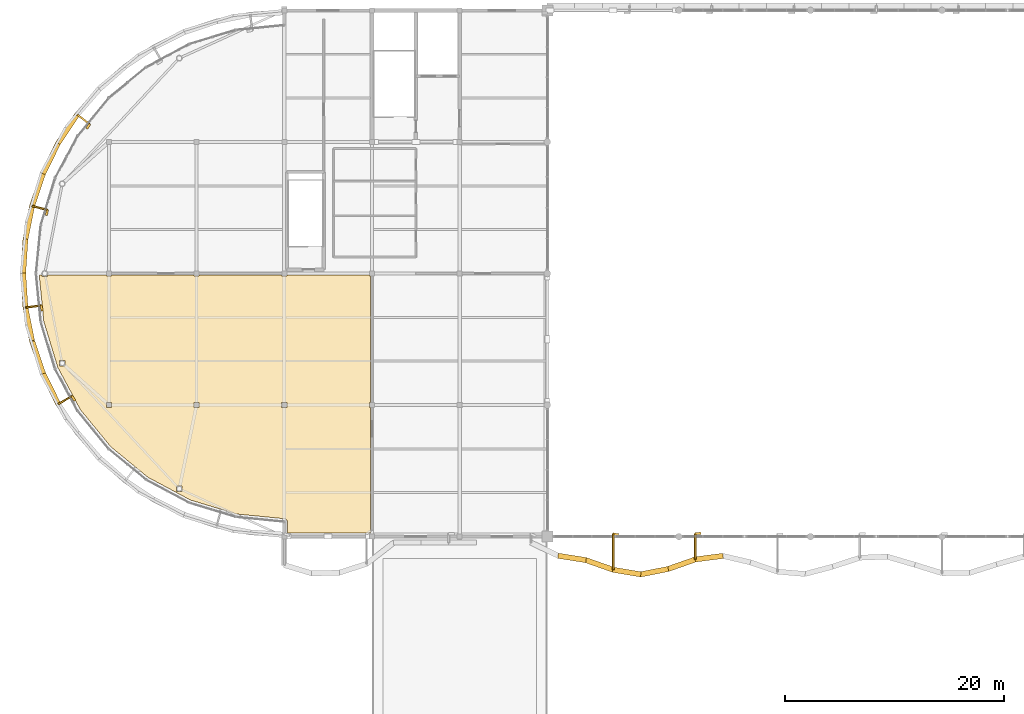
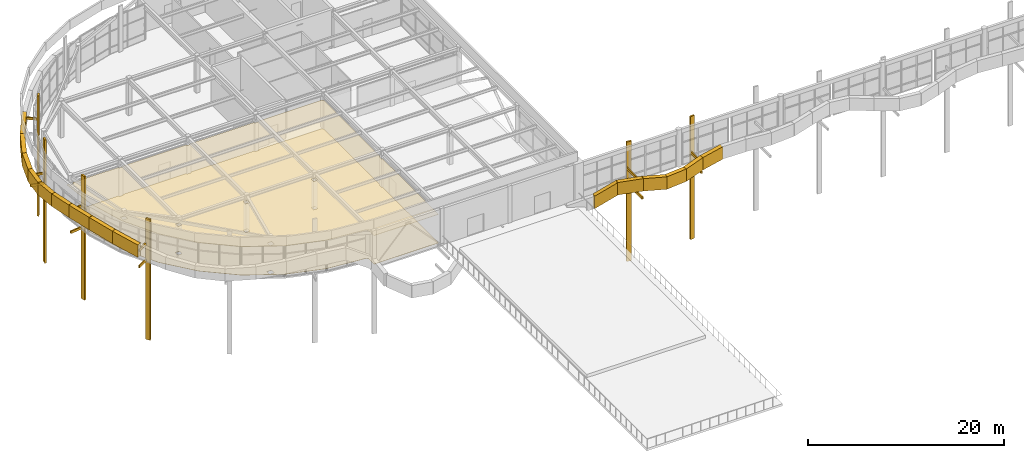
# One storey, part 51 of 63: 34 coverings.
"""IFC4 building model written with IfcOpenShell, lengths in metres."""

from ifc_helpers import new_model, si_unit, direction, frame, frame_2d, origin, place, context, subcontext, project, spatial, polyline, rectangle, outline, extrude, material, layer, layer_set, type_object, element, save


model = new_model("IFC4")

# Units and contexts
model_context = context("Model", 3, precision=1e-05, world=origin(), true_north=direction((0.0, 1.0)))
body_context = subcontext(model_context, "Body", "Model", "MODEL_VIEW")
ifc_project = project(units=[si_unit("LENGTHUNIT", "METRE"), si_unit("AREAUNIT", "SQUARE_METRE"), si_unit("VOLUMEUNIT", "CUBIC_METRE"), si_unit("PLANEANGLEUNIT", "RADIAN"), si_unit("MASSUNIT", "GRAM", prefix="KILO")], contexts=[model_context])

# Site, building, storey
site_placement = place(None, origin())
site = spatial("IfcSite", under=ifc_project, at=site_placement, CompositionType="ELEMENT")
building_placement = place(site_placement, origin())
building = spatial("IfcBuilding", under=site, at=building_placement, Name="Keelwater Ferry Terminal", CompositionType="ELEMENT")
storey_placement = place(building_placement, frame((0.0, 0.0, 10.199951171875)))
storey = spatial("IfcBuildingStorey", under=building, at=storey_placement, Name="L02", CompositionType="ELEMENT", Elevation=10.199951171875)

# Coverings
ifc_material_1 = material(Name="Perforated acoustic gypsum board ceiling", Category="gypsum")
ifc_layer_1 = layer(ifc_material_1, 0.044921875)
ifc_layer_set_1 = layer_set([ifc_layer_1], Name="Perforated acoustic gypsum board ceiling")
covering_type_1 = type_object("IfcCoveringType", Name="CL-AC Acoustic Baffle Ceiling", PredefinedType="CEILING", material=ifc_layer_set_1)
covering_1_placement = place(storey_placement, frame((0.0, 0.0, 3.550048828125)))
element("IfcCovering", 1, at=covering_1_placement, inside=storey, type_object=covering_type_1, Name="Crew Training Hall Acoustic Ceiling", PredefinedType="CEILING", context=body_context, shape_type="SweptSolid", body=[
    extrude(outline(polyline([(2.416015625, 65.8798828125), (2.424072265625, 65.8798828125), (7.7548828125, 65.8798828125), (7.762939453125, 65.8798828125), (7.764892578125, 65.87890625), (7.764892578125, 65.764892578125), (8.235107421875, 65.764892578125), (8.235107421875, 65.87890625), (8.237060546875, 65.8798828125), (8.2451171875, 65.8798828125), (15.7548828125, 65.8798828125), (15.762939453125, 65.8798828125), (15.764892578125, 65.87890625), (15.764892578125, 65.764892578125), (16.235107421875, 65.764892578125), (16.235107421875, 65.87890625), (16.237060546875, 65.8798828125), (16.2451171875, 65.8798828125), (23.7548828125, 65.8798828125), (23.762939453125, 65.8798828125), (23.764892578125, 65.87890625), (23.764892578125, 65.764892578125), (24.235107421875, 65.764892578125), (24.235107421875, 65.87890625), (24.237060546875, 65.8798828125), (24.2451171875, 65.8798828125), (31.7548828125, 65.8798828125), (31.762939453125, 65.8798828125), (31.764892578125, 65.87890625), (31.764892578125, 65.764892578125), (31.87890625, 65.764892578125), (31.8798828125, 65.762939453125), (31.8798828125, 65.7548828125), (31.8798828125, 54.2451171875), (31.8798828125, 54.237060546875), (31.87890625, 54.235107421875), (31.764892578125, 54.235107421875), (31.764892578125, 53.764892578125), (31.87890625, 53.764892578125), (31.8798828125, 53.762939453125), (31.8798828125, 53.7548828125), (31.8798828125, 42.39990234375), (31.8798828125, 42.39208984375), (31.8779296875, 42.384033203125), (31.876953125, 42.376953125), (31.8740234375, 42.368896484375), (31.87109375, 42.362060546875), (31.866943359375, 42.35595703125), (31.862060546875, 42.34912109375), (31.85693359375, 42.343017578125), (31.85107421875, 42.337890625), (31.843994140625, 42.3330078125), (31.837890625, 42.3291015625), (31.8310546875, 42.325927734375), (31.822998046875, 42.322998046875), (31.81591796875, 42.322021484375), (31.80810546875, 42.320068359375), (31.800048828125, 42.320068359375), (24.360107421875, 42.320068359375), (24.35205078125, 42.320068359375), (24.343994140625, 42.322021484375), (24.3369140625, 42.322998046875), (24.3291015625, 42.325927734375), (24.322021484375, 42.3291015625), (24.31591796875, 42.3330078125), (24.30908203125, 42.337890625), (24.302978515625, 42.343017578125), (24.298095703125, 42.34912109375), (24.29296875, 42.35595703125), (24.2890625, 42.362060546875), (24.285888671875, 42.368896484375), (24.282958984375, 42.376953125), (24.281982421875, 42.384033203125), (24.280029296875, 42.39208984375), (24.280029296875, 42.39990234375), (24.280029296875, 43.345947265625), (24.280029296875, 43.35009765625), (24.279052734375, 43.376953125), (24.27490234375, 43.405029296875), (24.26806640625, 43.430908203125), (24.259033203125, 43.45703125), (24.2470703125, 43.48193359375), (24.23291015625, 43.506103515625), (24.216064453125, 43.528076171875), (24.197998046875, 43.548095703125), (24.197021484375, 43.549072265625), (24.197021484375, 43.549072265625), (24.196044921875, 43.549072265625), (24.177978515625, 43.56591796875), (24.156005859375, 43.5830078125), (24.132080078125, 43.596923828125), (24.10693359375, 43.60888671875), (24.0810546875, 43.617919921875), (24.054931640625, 43.625), (24.027099609375, 43.62890625), (21.652099609375, 43.862060546875), (19.64404296875, 44.06005859375), (19.635986328125, 44.06201171875), (19.62890625, 44.06298828125), (17.532958984375, 44.698974609375), (15.44091796875, 45.333984375), (15.43896484375, 45.333984375), (15.43896484375, 45.333984375), (14.158935546875, 46.01806640625), (14.156005859375, 46.02001953125), (14.14892578125, 46.02490234375), (14.14306640625, 46.030029296875), (14.138916015625, 46.035888671875), (14.132080078125, 46.037109375), (14.125, 46.0380859375), (14.116943359375, 46.041015625), (14.110107421875, 46.0439453125), (14.001953125, 46.10205078125), (11.5791015625, 47.39697265625), (11.572998046875, 47.40087890625), (11.56591796875, 47.406005859375), (8.18896484375, 50.177978515625), (8.18310546875, 50.18310546875), (8.177978515625, 50.18896484375), (5.406005859375, 53.56591796875), (5.40087890625, 53.572998046875), (5.39697265625, 53.5791015625), (4.674072265625, 54.931884765625), (3.333984375, 57.43896484375), (3.333984375, 57.43896484375), (3.333984375, 57.44091796875), (2.698974609375, 59.532958984375), (2.06298828125, 61.62890625), (2.06201171875, 61.635986328125), (2.06005859375, 61.64404296875), (1.909912109375, 63.1708984375), (1.65087890625, 65.800048828125), (1.65087890625, 65.80810546875), (1.653076171875, 65.81591796875), (1.654052734375, 65.822998046875), (1.656982421875, 65.8310546875), (1.659912109375, 65.837890625), (1.6640625, 65.843994140625), (1.6689453125, 65.85107421875), (1.674072265625, 65.85693359375), (1.679931640625, 65.862060546875), (1.68701171875, 65.866943359375), (1.693115234375, 65.87109375), (1.699951171875, 65.8740234375), (1.7080078125, 65.876953125), (1.715087890625, 65.8779296875), (1.722900390625, 65.8798828125), (1.73095703125, 65.8798828125), (1.8759765625, 65.8798828125), (1.884033203125, 65.8798828125), (1.885986328125, 65.87890625), (1.885986328125, 65.736083984375), (2.4140625, 65.736083984375), (2.4140625, 65.87890625), (2.416015625, 65.8798828125)]), holes=[polyline([(14.157958984375, 46.625), (14.157958984375, 46.096923828125), (14.68603515625, 46.096923828125), (14.68603515625, 46.625), (14.157958984375, 46.625)]), polyline([(23.764892578125, 54.235107421875), (23.764892578125, 53.764892578125), (24.235107421875, 53.764892578125), (24.235107421875, 54.235107421875), (23.764892578125, 54.235107421875)]), polyline([(15.764892578125, 54.235107421875), (15.764892578125, 53.764892578125), (16.235107421875, 53.764892578125), (16.235107421875, 54.235107421875), (15.764892578125, 54.235107421875)]), polyline([(7.764892578125, 54.235107421875), (7.764892578125, 53.764892578125), (8.235107421875, 53.764892578125), (8.235107421875, 54.235107421875), (7.764892578125, 54.235107421875)]), polyline([(3.47705078125, 58.0791015625), (3.47705078125, 57.551025390625), (4.0048828125, 57.551025390625), (4.0048828125, 58.0791015625), (3.47705078125, 58.0791015625)])]), origin(), (0.0, 0.0, 1.0), 0.044921875),
])
ifc_material_2 = material(Name="Polished mineral terrazzo tile", Category="stone")
ifc_layer_2 = layer(ifc_material_2, 0.030029296875)
ifc_layer_set_2 = layer_set([ifc_layer_2], Name="Polished mineral terrazzo tile")
covering_type_2 = type_object("IfcCoveringType", Name="FL-TZ Marine Terrazzo Flooring", PredefinedType="FLOORING", material=ifc_layer_set_2)
covering_2_placement = place(storey_placement, origin())
element("IfcCovering", 2, at=covering_2_placement, inside=storey, type_object=covering_type_2, Name="Crew Training Hall Terrazzo Floor", PredefinedType="FLOORING", context=body_context, shape_type="SweptSolid", body=[
    extrude(outline(polyline([(2.416015625, 65.8798828125), (2.424072265625, 65.8798828125), (7.7548828125, 65.8798828125), (7.762939453125, 65.8798828125), (7.764892578125, 65.87890625), (7.764892578125, 65.764892578125), (8.235107421875, 65.764892578125), (8.235107421875, 65.87890625), (8.237060546875, 65.8798828125), (8.2451171875, 65.8798828125), (15.7548828125, 65.8798828125), (15.762939453125, 65.8798828125), (15.764892578125, 65.87890625), (15.764892578125, 65.764892578125), (16.235107421875, 65.764892578125), (16.235107421875, 65.87890625), (16.237060546875, 65.8798828125), (16.2451171875, 65.8798828125), (23.7548828125, 65.8798828125), (23.762939453125, 65.8798828125), (23.764892578125, 65.87890625), (23.764892578125, 65.764892578125), (24.235107421875, 65.764892578125), (24.235107421875, 65.87890625), (24.237060546875, 65.8798828125), (24.2451171875, 65.8798828125), (31.7548828125, 65.8798828125), (31.762939453125, 65.8798828125), (31.764892578125, 65.87890625), (31.764892578125, 65.764892578125), (31.87890625, 65.764892578125), (31.8798828125, 65.762939453125), (31.8798828125, 65.7548828125), (31.8798828125, 54.2451171875), (31.8798828125, 54.237060546875), (31.87890625, 54.235107421875), (31.764892578125, 54.235107421875), (31.764892578125, 53.764892578125), (31.87890625, 53.764892578125), (31.8798828125, 53.762939453125), (31.8798828125, 53.7548828125), (31.8798828125, 42.39990234375), (31.8798828125, 42.39208984375), (31.8779296875, 42.384033203125), (31.876953125, 42.376953125), (31.8740234375, 42.368896484375), (31.87109375, 42.362060546875), (31.866943359375, 42.35595703125), (31.862060546875, 42.34912109375), (31.85693359375, 42.343017578125), (31.85107421875, 42.337890625), (31.843994140625, 42.3330078125), (31.837890625, 42.3291015625), (31.8310546875, 42.325927734375), (31.822998046875, 42.322998046875), (31.81591796875, 42.322021484375), (31.80810546875, 42.320068359375), (31.800048828125, 42.320068359375), (24.360107421875, 42.320068359375), (24.35205078125, 42.320068359375), (24.343994140625, 42.322021484375), (24.3369140625, 42.322998046875), (24.3291015625, 42.325927734375), (24.322021484375, 42.3291015625), (24.31591796875, 42.3330078125), (24.30908203125, 42.337890625), (24.302978515625, 42.343017578125), (24.298095703125, 42.34912109375), (24.29296875, 42.35595703125), (24.2890625, 42.362060546875), (24.285888671875, 42.368896484375), (24.282958984375, 42.376953125), (24.281982421875, 42.384033203125), (24.280029296875, 42.39208984375), (24.280029296875, 42.39990234375), (24.280029296875, 43.345947265625), (24.280029296875, 43.35009765625), (24.279052734375, 43.376953125), (24.27490234375, 43.405029296875), (24.26806640625, 43.430908203125), (24.259033203125, 43.45703125), (24.2470703125, 43.48193359375), (24.23291015625, 43.506103515625), (24.216064453125, 43.528076171875), (24.197998046875, 43.548095703125), (24.197021484375, 43.549072265625), (24.197021484375, 43.549072265625), (24.196044921875, 43.549072265625), (24.177978515625, 43.56591796875), (24.156005859375, 43.5830078125), (24.132080078125, 43.596923828125), (24.10693359375, 43.60888671875), (24.0810546875, 43.617919921875), (24.054931640625, 43.625), (24.027099609375, 43.62890625), (21.652099609375, 43.862060546875), (19.64404296875, 44.06005859375), (19.635986328125, 44.06201171875), (19.62890625, 44.06298828125), (17.532958984375, 44.698974609375), (15.44091796875, 45.333984375), (15.43896484375, 45.333984375), (15.43896484375, 45.333984375), (14.158935546875, 46.01806640625), (14.156005859375, 46.02001953125), (14.14892578125, 46.02490234375), (14.14306640625, 46.030029296875), (14.138916015625, 46.035888671875), (14.132080078125, 46.037109375), (14.125, 46.0380859375), (14.116943359375, 46.041015625), (14.110107421875, 46.0439453125), (14.001953125, 46.10205078125), (11.5791015625, 47.39697265625), (11.572998046875, 47.40087890625), (11.56591796875, 47.406005859375), (8.18896484375, 50.177978515625), (8.18310546875, 50.18310546875), (8.177978515625, 50.18896484375), (5.406005859375, 53.56591796875), (5.40087890625, 53.572998046875), (5.39697265625, 53.5791015625), (4.674072265625, 54.931884765625), (3.333984375, 57.43896484375), (3.333984375, 57.43896484375), (3.333984375, 57.44091796875), (2.698974609375, 59.532958984375), (2.06298828125, 61.62890625), (2.06201171875, 61.635986328125), (2.06005859375, 61.64404296875), (1.909912109375, 63.1708984375), (1.65087890625, 65.800048828125), (1.65087890625, 65.80810546875), (1.653076171875, 65.81591796875), (1.654052734375, 65.822998046875), (1.656982421875, 65.8310546875), (1.659912109375, 65.837890625), (1.6640625, 65.843994140625), (1.6689453125, 65.85107421875), (1.674072265625, 65.85693359375), (1.679931640625, 65.862060546875), (1.68701171875, 65.866943359375), (1.693115234375, 65.87109375), (1.699951171875, 65.8740234375), (1.7080078125, 65.876953125), (1.715087890625, 65.8779296875), (1.722900390625, 65.8798828125), (1.73095703125, 65.8798828125), (1.8759765625, 65.8798828125), (1.884033203125, 65.8798828125), (1.885986328125, 65.87890625), (1.885986328125, 65.736083984375), (2.4140625, 65.736083984375), (2.4140625, 65.87890625), (2.416015625, 65.8798828125)]), holes=[polyline([(14.157958984375, 46.625), (14.157958984375, 46.096923828125), (14.68603515625, 46.096923828125), (14.68603515625, 46.625), (14.157958984375, 46.625)]), polyline([(23.764892578125, 54.235107421875), (23.764892578125, 53.764892578125), (24.235107421875, 53.764892578125), (24.235107421875, 54.235107421875), (23.764892578125, 54.235107421875)]), polyline([(15.764892578125, 54.235107421875), (15.764892578125, 53.764892578125), (16.235107421875, 53.764892578125), (16.235107421875, 54.235107421875), (15.764892578125, 54.235107421875)]), polyline([(7.764892578125, 54.235107421875), (7.764892578125, 53.764892578125), (8.235107421875, 53.764892578125), (8.235107421875, 54.235107421875), (7.764892578125, 54.235107421875)]), polyline([(3.47705078125, 58.0791015625), (3.47705078125, 57.551025390625), (4.0048828125, 57.551025390625), (4.0048828125, 58.0791015625), (3.47705078125, 58.0791015625)])]), origin(), (0.0, 0.0, 1.0), 0.030029296875),
])
ifc_material_3 = material(Name="Matte white architectural aluminium fascia ribbon", Category="aluminium")
ifc_layer_3 = layer(ifc_material_3, 0.1201171875)
ifc_layer_set_3 = layer_set([ifc_layer_3], Name="Matte white architectural aluminium fascia ribbon")
covering_type_3 = type_object("IfcCoveringType", Name="RB-WHT Matte White Fascia Ribbon", PredefinedType="CLADDING", material=ifc_layer_set_3)
covering_3_placement = place(storey_placement, frame((5.115966796875, 80.52197265625, 0.5361328125), z_axis=(0.0, 0.0, 1.0), x_axis=(-0.55550058618, -0.831516144614, 0.0)))
element("IfcCovering", 3, at=covering_3_placement, inside=storey, type_object=covering_type_3, Name="Concourse Upper Wave Fascia Ribbon 203", PredefinedType="CLADDING", context=body_context, shape_type="SweptSolid", body=[
    extrude(outline(polyline([(0.0, 0.515869140625), (3.16650390625, 0.0), (3.16650390625, 1.5498046875), (0.0, 2.06591796875), (0.0, 0.515869140625)])), frame((0.0, 0.239990234375, 0.0), z_axis=(0.0, -1.0, 0.0), x_axis=(1.0, 0.0, 0.0)), (0.0, 0.0, 1.0), 0.47998046875),
])
covering_4_placement = place(storey_placement, frame((5.10205078125, 80.5009765625, 1.68701171875), z_axis=(0.0, 0.0, 1.0), x_axis=(0.793118257484, -0.609067672467, 0.0)))
element("IfcCovering", 4, at=covering_4_placement, inside=storey, type_object=covering_type_3, Name="Ribbon Horizontal Tie Bracket 207", PredefinedType="CLADDING", context=body_context, shape_type="SweptSolid", body=[
    extrude(rectangle(XDim=1.449951171875, YDim=0.159912109375, at=frame_2d((0.72509765625, 0.0))), origin(), (0.0, 0.0, 1.0), 0.280029296875),
])
covering_5_placement = place(storey_placement, frame((6.26611328125, 79.638916015625, -9.949951171875), z_axis=(0.0, 0.0, 1.0), x_axis=(-0.555019030132, -0.83183765014, 0.0)))
element("IfcCovering", 5, at=covering_5_placement, inside=storey, type_object=covering_type_3, Name="Ribbon Recessed Support Mullion 212", PredefinedType="CLADDING", context=body_context, shape_type="SweptSolid", body=[
    extrude(outline(polyline([(0.0, 0.0), (0.530029296875, 0.0), (0.530029296875, 14.966064453125), (0.0, 14.966064453125), (0.0, 0.0)])), frame((0.0, 0.10009765625, 0.0), z_axis=(0.0, -1.0, 0.0), x_axis=(1.0, 0.0, 0.0)), (0.0, 0.0, 1.0), 0.199951171875),
])
covering_6_placement = place(storey_placement, frame((3.382080078125, 77.931884765625, 0.281982421875), z_axis=(0.0, 0.0, 1.0), x_axis=(-0.442454846905, -0.896790782987, 0.0)))
element("IfcCovering", 6, at=covering_6_placement, inside=storey, type_object=covering_type_3, Name="Concourse Upper Wave Fascia Ribbon 215", PredefinedType="CLADDING", context=body_context, shape_type="SweptSolid", body=[
    extrude(outline(polyline([(0.0, 0.254150390625), (3.16455078125, 0.0), (3.16455078125, 1.550048828125), (0.0, 1.803955078125), (0.0, 0.254150390625)])), frame((0.0, 0.239990234375, 0.0), z_axis=(0.0, -1.0, 0.0), x_axis=(1.0, 0.0, 0.0)), (0.0, 0.0, 1.0), 0.47998046875),
])
covering_7_placement = place(storey_placement, frame((2.0009765625, 75.139892578125, 0.281982421875), z_axis=(0.0, 0.0, 1.0), x_axis=(-0.321196336342, -0.94701262585, 0.0)))
element("IfcCovering", 7, at=covering_7_placement, inside=storey, type_object=covering_type_3, Name="Concourse Upper Wave Fascia Ribbon 219", PredefinedType="CLADDING", context=body_context, shape_type="SweptSolid", body=[
    extrude(outline(polyline([(0.0, 0.0), (3.16650390625, 0.1201171875), (3.16650390625, 1.670166015625), (0.0, 1.550048828125), (0.0, 0.0)])), frame((0.0, 0.239990234375, 0.0), z_axis=(0.0, -1.0, 0.0), x_axis=(1.0, 0.0, 0.0)), (0.0, 0.0, 1.0), 0.47998046875),
])
covering_8_placement = place(storey_placement, frame((0.9970703125, 72.18994140625, 0.402099609375), z_axis=(0.0, 0.0, 1.0), x_axis=(-0.195196875454, -0.98076407959, 0.0)))
element("IfcCovering", 8, at=covering_8_placement, inside=storey, type_object=covering_type_3, Name="Concourse Upper Wave Fascia Ribbon 223", PredefinedType="CLADDING", context=body_context, shape_type="SweptSolid", body=[
    extrude(outline(polyline([(0.0, 0.0), (3.1669921875, 0.44189453125), (3.1669921875, 1.991943359375), (0.0, 1.550048828125), (0.0, 0.0)])), frame((0.0, 0.239990234375, 0.0), z_axis=(0.0, -1.0, 0.0), x_axis=(1.0, 0.0, 0.0)), (0.0, 0.0, 1.0), 0.47998046875),
])
covering_9_placement = place(storey_placement, frame((0.991943359375, 72.1650390625, 1.037109375), z_axis=(0.0, 0.0, 1.0), x_axis=(0.965999865875, -0.258542567344, 0.0)))
element("IfcCovering", 9, at=covering_9_placement, inside=storey, type_object=covering_type_3, Name="Ribbon Horizontal Tie Bracket 226", PredefinedType="CLADDING", context=body_context, shape_type="SweptSolid", body=[
    extrude(rectangle(XDim=1.450439453125, YDim=0.159912109375, at=frame_2d((0.72509765625, 0.0))), origin(), (0.0, 0.0, 1.0), 0.280029296875),
])
covering_10_placement = place(storey_placement, frame((0.991943359375, 72.1650390625, -0.25), z_axis=(0.0, 0.0, 1.0), x_axis=(0.965999865875, -0.258542567344, 0.0)))
element("IfcCovering", 10, at=covering_10_placement, inside=storey, type_object=covering_type_3, Name="Ribbon Slab Tie Bracket 228", PredefinedType="CLADDING", context=body_context, shape_type="SweptSolid", body=[
    extrude(rectangle(XDim=1.450439453125, YDim=0.159912109375, at=frame_2d((0.72509765625, 0.0))), origin(), (0.0, 0.0, 1.0), 0.300048828125),
])
covering_11_placement = place(storey_placement, frame((2.39697265625, 71.81396484375, -9.724853515625), z_axis=(0.0, 0.0, 1.0), x_axis=(-0.19434453795, -0.980933331358, 0.0)))
element("IfcCovering", 11, at=covering_11_placement, inside=storey, type_object=covering_type_3, Name="Ribbon Recessed Support Mullion 230", PredefinedType="CLADDING", context=body_context, shape_type="SweptSolid", body=[
    extrude(outline(polyline([(0.0, 0.0), (0.530029296875, 0.0), (0.530029296875, 15.350830078125), (0.0, 15.350830078125), (0.0, 0.0)])), frame((0.0, 0.10009765625, 0.0), z_axis=(0.0, -1.0, 0.0), x_axis=(1.0, 0.0, 0.0)), (0.0, 0.0, 1.0), 0.199951171875),
])
covering_12_placement = place(storey_placement, frame((0.385986328125, 69.134033203125, 0.843994140625), z_axis=(0.0, 0.0, 1.0), x_axis=(-0.065705147067, -0.997839082041, 0.0)))
element("IfcCovering", 12, at=covering_12_placement, inside=storey, type_object=covering_type_3, Name="Concourse Upper Wave Fascia Ribbon 233", PredefinedType="CLADDING", context=body_context, shape_type="SweptSolid", body=[
    extrude(outline(polyline([(0.0, 0.0), (3.165771484375, 0.567138671875), (3.165771484375, 2.116943359375), (0.0, 1.550048828125), (0.0, 0.0)])), frame((0.0, 0.239990234375, 0.0), z_axis=(0.0, -1.0, 0.0), x_axis=(1.0, 0.0, 0.0)), (0.0, 0.0, 1.0), 0.47998046875),
])
covering_13_placement = place(storey_placement, frame((0.177978515625, 66.02490234375, 1.4111328125), z_axis=(0.0, 0.0, 1.0), x_axis=(0.065705147067, -0.997839082041, 0.0)))
element("IfcCovering", 13, at=covering_13_placement, inside=storey, type_object=covering_type_3, Name="Concourse Upper Wave Fascia Ribbon 237", PredefinedType="CLADDING", context=body_context, shape_type="SweptSolid", body=[
    extrude(outline(polyline([(0.0, 0.0), (3.165771484375, 0.43896484375), (3.165771484375, 1.989013671875), (0.0, 1.5498046875), (0.0, 0.0)])), frame((0.0, 0.239990234375, 0.0), z_axis=(0.0, -1.0, 0.0), x_axis=(1.0, 0.0, 0.0)), (0.0, 0.0, 1.0), 0.47998046875),
])
covering_14_placement = place(storey_placement, frame((0.37890625, 62.916015625, 1.85009765625), z_axis=(0.0, 0.0, 1.0), x_axis=(0.195196875454, -0.98076407959, 0.0)))
element("IfcCovering", 14, at=covering_14_placement, inside=storey, type_object=covering_type_3, Name="Concourse Upper Wave Fascia Ribbon 241", PredefinedType="CLADDING", context=body_context, shape_type="SweptSolid", body=[
    extrude(outline(polyline([(0.0, 0.0), (3.1669921875, 0.117919921875), (3.1669921875, 1.66796875), (0.0, 1.550048828125), (0.0, 0.0)])), frame((0.0, 0.239990234375, 0.0), z_axis=(0.0, -1.0, 0.0), x_axis=(1.0, 0.0, 0.0)), (0.0, 0.0, 1.0), 0.47998046875),
])
covering_15_placement = place(storey_placement, frame((0.384033203125, 62.89111328125, 2.485107421875), z_axis=(0.0, 0.0, 1.0), x_axis=(0.991476053756, 0.130289043397, 0.0)))
element("IfcCovering", 15, at=covering_15_placement, inside=storey, type_object=covering_type_3, Name="Ribbon Horizontal Tie Bracket 244", PredefinedType="CLADDING", context=body_context, shape_type="SweptSolid", body=[
    extrude(rectangle(XDim=1.450439453125, YDim=0.159912109375, at=frame_2d((0.72509765625, 0.0))), origin(), (0.0, 0.0, 1.0), 0.280029296875),
])
covering_16_placement = place(storey_placement, frame((0.384033203125, 62.89111328125, -0.25), z_axis=(0.0, 0.0, 1.0), x_axis=(0.991476053756, 0.130289043397, 0.0)))
element("IfcCovering", 16, at=covering_16_placement, inside=storey, type_object=covering_type_3, Name="Ribbon Slab Tie Bracket 247", PredefinedType="CLADDING", context=body_context, shape_type="SweptSolid", body=[
    extrude(rectangle(XDim=1.450439453125, YDim=0.159912109375, at=frame_2d((0.72509765625, 0.0))), origin(), (0.0, 0.0, 1.0), 0.300048828125),
])
covering_17_placement = place(storey_placement, frame((1.81689453125, 63.10498046875, -8.89697265625), z_axis=(0.0, 0.0, 1.0), x_axis=(0.19434453795, -0.980933331358, 0.0)))
element("IfcCovering", 17, at=covering_17_placement, inside=storey, type_object=covering_type_3, Name="Ribbon Recessed Support Mullion 249", PredefinedType="CLADDING", context=body_context, shape_type="SweptSolid", body=[
    extrude(outline(polyline([(0.0, 0.0), (0.530029296875, 0.0), (0.530029296875, 15.419921875), (0.0, 15.419921875), (0.0, 0.0)])), frame((0.0, 0.10009765625, 0.0), z_axis=(0.0, -1.0, 0.0), x_axis=(1.0, 0.0, 0.0)), (0.0, 0.0, 1.0), 0.199951171875),
])
covering_18_placement = place(storey_placement, frame((0.98388671875, 59.85888671875, 1.7099609375), z_axis=(0.0, 0.0, 1.0), x_axis=(0.321196336342, -0.94701262585, 0.0)))
element("IfcCovering", 18, at=covering_18_placement, inside=storey, type_object=covering_type_3, Name="Concourse Upper Wave Fascia Ribbon 252", PredefinedType="CLADDING", context=body_context, shape_type="SweptSolid", body=[
    extrude(outline(polyline([(0.0, 0.258056640625), (3.16650390625, 0.0), (3.16650390625, 1.550048828125), (0.0, 1.80810546875), (0.0, 0.258056640625)])), frame((0.0, 0.239990234375, 0.0), z_axis=(0.0, -1.0, 0.0), x_axis=(1.0, 0.0, 0.0)), (0.0, 0.0, 1.0), 0.47998046875),
])
covering_19_placement = place(storey_placement, frame((1.98193359375, 56.906005859375, 1.193115234375), z_axis=(0.0, 0.0, 1.0), x_axis=(0.442454846905, -0.896790782987, 0.0)))
element("IfcCovering", 19, at=covering_19_placement, inside=storey, type_object=covering_type_3, Name="Concourse Upper Wave Fascia Ribbon 256", PredefinedType="CLADDING", context=body_context, shape_type="SweptSolid", body=[
    extrude(outline(polyline([(0.0, 0.516845703125), (3.16455078125, 0.0), (3.16455078125, 1.550048828125), (0.0, 2.06689453125), (0.0, 0.516845703125)])), frame((0.0, 0.239990234375, 0.0), z_axis=(0.0, -1.0, 0.0), x_axis=(1.0, 0.0, 0.0)), (0.0, 0.0, 1.0), 0.47998046875),
])
covering_20_placement = place(storey_placement, frame((3.37109375, 54.090087890625, 1.828125), z_axis=(0.0, 0.0, 1.0), x_axis=(0.866090267075, 0.499887636653, 0.0)))
element("IfcCovering", 20, at=covering_20_placement, inside=storey, type_object=covering_type_3, Name="Ribbon Horizontal Tie Bracket 264", PredefinedType="CLADDING", context=body_context, shape_type="SweptSolid", body=[
    extrude(rectangle(XDim=1.449951171875, YDim=0.159912109375, at=frame_2d((0.72509765625, 0.0))), origin(), (0.0, 0.0, 1.0), 0.280029296875),
])
covering_21_placement = place(storey_placement, frame((3.37109375, 54.090087890625, -0.25), z_axis=(0.0, 0.0, 1.0), x_axis=(0.866090267075, 0.499887636653, 0.0)))
element("IfcCovering", 21, at=covering_21_placement, inside=storey, type_object=covering_type_3, Name="Ribbon Slab Tie Bracket 266", PredefinedType="CLADDING", context=body_context, shape_type="SweptSolid", body=[
    extrude(rectangle(XDim=1.449951171875, YDim=0.159912109375, at=frame_2d((0.72509765625, 0.0))), origin(), (0.0, 0.0, 1.0), 0.300048828125),
])
covering_22_placement = place(storey_placement, frame((4.613037109375, 54.8359375, -9.949951171875), z_axis=(0.0, 0.0, 1.0), x_axis=(0.554700196225, -0.832050294338, 0.0)))
element("IfcCovering", 22, at=covering_22_placement, inside=storey, type_object=covering_type_3, Name="Ribbon Recessed Support Mullion 268", PredefinedType="CLADDING", context=body_context, shape_type="SweptSolid", body=[
    extrude(outline(polyline([(0.0, 0.0), (0.530029296875, 0.0), (0.530029296875, 15.052978515625), (0.0, 15.052978515625), (0.0, 0.0)])), frame((0.0, 0.10009765625, 0.0), z_axis=(0.0, -1.0, 0.0), x_axis=(1.0, 0.0, 0.0)), (0.0, 0.0, 1.0), 0.199951171875),
])
covering_23_placement = place(storey_placement, frame((48.97509765625, 40.2509765625, -0.2978515625), z_axis=(0.0, 0.0, 1.0), x_axis=(0.98803907392, -0.154203723716, 0.0)))
element("IfcCovering", 23, at=covering_23_placement, inside=storey, type_object=covering_type_3, Name="Concourse Upper Wave Fascia Ribbon 356", PredefinedType="CLADDING", context=body_context, shape_type="SweptSolid", body=[
    extrude(outline(polyline([(0.0, 0.0), (2.58056640625, 1.07080078125), (2.58056640625, 2.620849609375), (0.0, 1.5498046875), (0.0, 0.0)])), frame((0.0, 0.239990234375, 0.0), z_axis=(0.0, -1.0, 0.0), x_axis=(1.0, 0.0, 0.0)), (0.0, 0.0, 1.0), 0.47998046875),
])
covering_24_placement = place(storey_placement, frame((51.47607421875, 39.864990234375, 0.77294921875), z_axis=(0.0, 0.0, 1.0), x_axis=(0.943140397059, -0.33239463208, 0.0)))
element("IfcCovering", 24, at=covering_24_placement, inside=storey, type_object=covering_type_3, Name="Concourse Upper Wave Fascia Ribbon 359", PredefinedType="CLADDING", context=body_context, shape_type="SweptSolid", body=[
    extrude(outline(polyline([(0.0, 0.0), (2.701416015625, 0.150146484375), (2.701416015625, 1.7001953125), (0.0, 1.550048828125), (0.0, 0.0)])), frame((0.0, 0.239990234375, 0.0), z_axis=(0.0, -1.0, 0.0), x_axis=(1.0, 0.0, 0.0)), (0.0, 0.0, 1.0), 0.47998046875),
])
covering_25_placement = place(storey_placement, frame((53.97509765625, 38.97900390625, 0.51904296875), z_axis=(0.0, 0.0, 1.0), x_axis=(0.985956741922, -0.167000907359, 0.0)))
element("IfcCovering", 25, at=covering_25_placement, inside=storey, type_object=covering_type_3, Name="Concourse Upper Wave Fascia Ribbon 363", PredefinedType="CLADDING", context=body_context, shape_type="SweptSolid", body=[
    extrude(outline(polyline([(0.0, 0.404052734375), (2.586181640625, 0.0), (2.586181640625, 1.550048828125), (0.0, 1.9541015625), (0.0, 0.404052734375)])), frame((0.0, 0.239990234375, 0.0), z_axis=(0.0, -1.0, 0.0), x_axis=(1.0, 0.0, 0.0)), (0.0, 0.0, 1.0), 0.47998046875),
])
covering_26_placement = place(storey_placement, frame((54.0, 38.97509765625, 1.55810546875), z_axis=(0.0, 0.0, 1.0), x_axis=(0.0, 1.0, 0.0)))
element("IfcCovering", 26, at=covering_26_placement, inside=storey, type_object=covering_type_3, Name="Ribbon Horizontal Tie Bracket 367", PredefinedType="CLADDING", context=body_context, shape_type="SweptSolid", body=[
    extrude(rectangle(XDim=3.27490234375, YDim=0.159912109375, at=frame_2d((1.637451171875, 0.0))), origin(), (0.0, 0.0, 1.0), 0.280029296875),
])
covering_27_placement = place(storey_placement, frame((54.0, 38.97509765625, -0.25), z_axis=(0.0, 0.0, 1.0), x_axis=(0.0, 1.0, 0.0)))
element("IfcCovering", 27, at=covering_27_placement, inside=storey, type_object=covering_type_3, Name="Ribbon Slab Tie Bracket 370", PredefinedType="CLADDING", context=body_context, shape_type="SweptSolid", body=[
    extrude(rectangle(XDim=3.27490234375, YDim=0.159912109375, at=frame_2d((1.637451171875, 0.0))), origin(), (0.0, 0.0, 1.0), 0.300048828125),
])
covering_28_placement = place(storey_placement, frame((53.97509765625, 42.25390625, -9.949951171875), z_axis=(0.0, 0.0, 1.0), x_axis=(0.986169031783, -0.165742694417, 0.0)))
element("IfcCovering", 28, at=covering_28_placement, inside=storey, type_object=covering_type_3, Name="Ribbon Recessed Support Mullion 372", PredefinedType="CLADDING", context=body_context, shape_type="SweptSolid", body=[
    extrude(outline(polyline([(0.0, 0.0), (0.5302734375, 0.0), (0.5302734375, 14.903076171875), (0.0, 14.903076171875), (0.0, 0.0)])), frame((0.0, 0.10009765625, 0.0), z_axis=(0.0, -1.0, 0.0), x_axis=(1.0, 0.0, 0.0)), (0.0, 0.0, 1.0), 0.199951171875),
])
covering_29_placement = place(storey_placement, frame((56.47509765625, 38.5458984375, 0.296142578125), z_axis=(0.0, 0.0, 1.0), x_axis=(0.981310966626, 0.192428653739, 0.0)))
element("IfcCovering", 29, at=covering_29_placement, inside=storey, type_object=covering_type_3, Name="Concourse Upper Wave Fascia Ribbon 375", PredefinedType="CLADDING", context=body_context, shape_type="SweptSolid", body=[
    extrude(outline(polyline([(0.0, 0.222900390625), (2.598388671875, 0.0), (2.598388671875, 1.5498046875), (0.0, 1.77294921875), (0.0, 0.222900390625)])), frame((0.0, 0.239990234375, 0.0), z_axis=(0.0, -1.0, 0.0), x_axis=(1.0, 0.0, 0.0)), (0.0, 0.0, 1.0), 0.47998046875),
])
covering_30_placement = place(storey_placement, frame((58.97607421875, 39.032958984375, 0.296142578125), z_axis=(0.0, 0.0, 1.0), x_axis=(0.943818870792, 0.330463219037, 0.0)))
element("IfcCovering", 30, at=covering_30_placement, inside=storey, type_object=covering_type_3, Name="Concourse Upper Wave Fascia Ribbon 379", PredefinedType="CLADDING", context=body_context, shape_type="SweptSolid", body=[
    extrude(outline(polyline([(0.0, 0.0), (2.699462890625, 0.031982421875), (2.699462890625, 1.581787109375), (0.0, 1.5498046875), (0.0, 0.0)])), frame((0.0, 0.239990234375, 0.0), z_axis=(0.0, -1.0, 0.0), x_axis=(1.0, 0.0, 0.0)), (0.0, 0.0, 1.0), 0.47998046875),
])
covering_31_placement = place(storey_placement, frame((61.47509765625, 39.9140625, 0.328125), z_axis=(0.0, 0.0, 1.0), x_axis=(0.991929206026, 0.126792942363, 0.0)))
element("IfcCovering", 31, at=covering_31_placement, inside=storey, type_object=covering_type_3, Name="Concourse Upper Wave Fascia Ribbon 381", PredefinedType="CLADDING", context=body_context, shape_type="SweptSolid", body=[
    extrude(outline(polyline([(0.0, 0.0), (2.570556640625, 0.27294921875), (2.570556640625, 1.822998046875), (0.0, 1.5498046875), (0.0, 0.0)])), frame((0.0, 0.239990234375, 0.0), z_axis=(0.0, -1.0, 0.0), x_axis=(1.0, 0.0, 0.0)), (0.0, 0.0, 1.0), 0.47998046875),
])
covering_32_placement = place(storey_placement, frame((61.5, 39.9169921875, 0.963134765625), z_axis=(0.0, 0.0, 1.0), x_axis=(0.0, 1.0, 0.0)))
element("IfcCovering", 32, at=covering_32_placement, inside=storey, type_object=covering_type_3, Name="Ribbon Horizontal Tie Bracket 384", PredefinedType="CLADDING", context=body_context, shape_type="SweptSolid", body=[
    extrude(rectangle(XDim=2.3330078125, YDim=0.159912109375, at=frame_2d((1.16650390625, 0.0))), origin(), (0.0, 0.0, 1.0), 0.280029296875),
])
covering_33_placement = place(storey_placement, frame((61.5, 39.9169921875, -0.25), z_axis=(0.0, 0.0, 1.0), x_axis=(0.0, 1.0, 0.0)))
element("IfcCovering", 33, at=covering_33_placement, inside=storey, type_object=covering_type_3, Name="Ribbon Slab Tie Bracket 386", PredefinedType="CLADDING", context=body_context, shape_type="SweptSolid", body=[
    extrude(rectangle(XDim=2.3330078125, YDim=0.159912109375, at=frame_2d((1.16650390625, 0.0))), origin(), (0.0, 0.0, 1.0), 0.300048828125),
])
covering_34_placement = place(storey_placement, frame((61.47509765625, 42.2470703125, -9.85693359375), z_axis=(0.0, 0.0, 1.0), x_axis=(0.992006299358, 0.126188359343, 0.0)))
element("IfcCovering", 34, at=covering_34_placement, inside=storey, type_object=covering_type_3, Name="Ribbon Recessed Support Mullion 388", PredefinedType="CLADDING", context=body_context, shape_type="SweptSolid", body=[
    extrude(outline(polyline([(0.0, 0.0), (0.530029296875, 0.0), (0.530029296875, 15.319091796875), (0.0, 15.319091796875), (0.0, 0.0)])), frame((0.0, 0.10009765625, 0.0), z_axis=(0.0, -1.0, 0.0), x_axis=(1.0, 0.0, 0.0)), (0.0, 0.0, 1.0), 0.199951171875),
])

save(model, "model.ifc")
